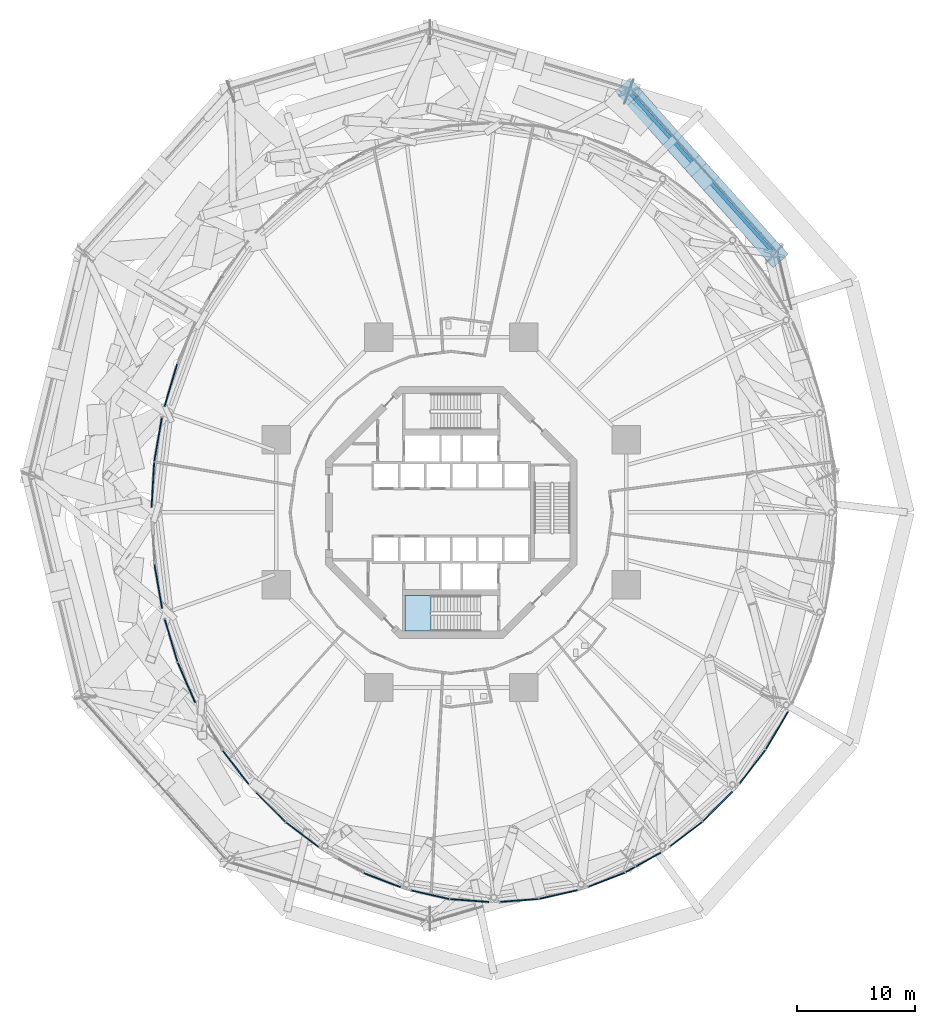
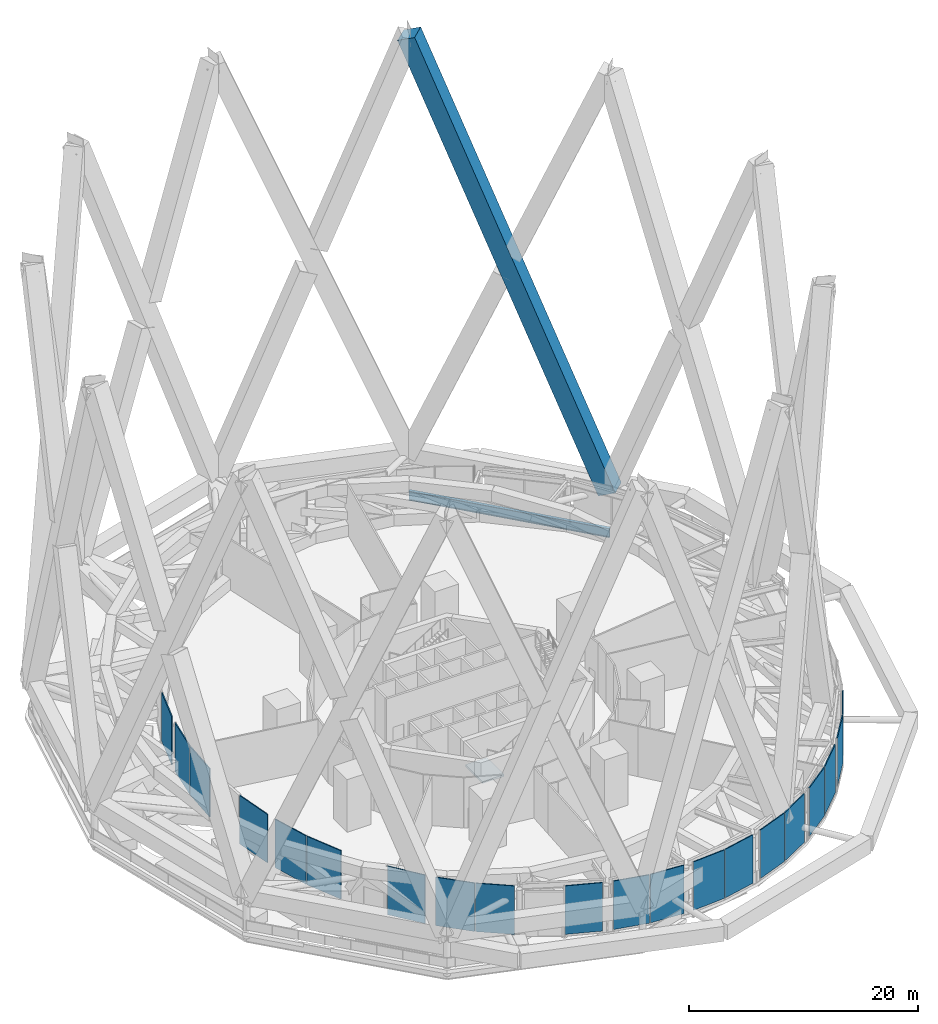
# One storey, part 37 of 51: 20 plates, 1 beam, 1 member, 1 slab, 21 elements without a shape of their own.
"""IFC4 building model written with IfcOpenShell, lengths in metres."""

import ifcopenshell
import ifcopenshell.guid

model = None  # the IFC model being written
_history = None  # IfcOwnerHistory: only IFC2X3 demands one
_inside = {}  # id of a spatial element -> (the spatial element, [elements in it])
_under = {}  # id of a project, library or spatial element -> (it, [spatial elements below it])
_declared = {}  # id of a project -> (the project, [libraries it declares])
_typed = {}  # id of a type object -> (the type object, [elements of that type])
_made_of = {}  # id of a material, layer set ... -> (it, [elements and type objects made of it])


def new_model(schema):
    """Start an empty IFC model of exactly this schema.

    Asked for "IFC4X3", IfcOpenShell would pick the latest addendum, in which some entities
    have other attributes; the version numbers below select the first issue.
    IFC2X3 requires an IfcOwnerHistory on every rooted entity: one is made here for all.
    """
    global model, _history
    if schema == "IFC4X3":
        model = ifcopenshell.file(schema_version=(4, 3, 0, 0))
    else:
        model = ifcopenshell.file(schema=schema)
    _inside.clear()
    _under.clear()
    _declared.clear()
    _typed.clear()
    _made_of.clear()
    _history = None
    if model.schema == "IFC2X3":
        org = make("IfcOrganization", Name="unknown")
        user = make(
            "IfcPersonAndOrganization",
            ThePerson=make("IfcPerson", FamilyName="unknown"),
            TheOrganization=org,
        )
        app = make(
            "IfcApplication",
            ApplicationDeveloper=org,
            Version="unknown",
            ApplicationFullName="unknown",
            ApplicationIdentifier="unknown",
        )
        _history = make(
            "IfcOwnerHistory",
            OwningUser=user,
            OwningApplication=app,
            ChangeAction="ADDED",
            CreationDate=0,
        )
    return model


def make(cls, **values):
    """One entity of the class cls with the attributes given. An attribute that is None is left unset."""
    return model.create_entity(
        cls, **{name: value for name, value in values.items() if value is not None}
    )


def rooted(cls, **values):
    """An entity with a GlobalId (a new one), such as an element, a storey or a relation."""
    return make(cls, GlobalId=ifcopenshell.guid.new(), OwnerHistory=_history, **values)


def si_unit(unit_type, name, prefix=None):
    """IfcSIUnit, for example si_unit("LENGTHUNIT", "METRE", prefix="MILLI")."""
    return make("IfcSIUnit", UnitType=unit_type, Prefix=prefix, Name=name)


def assignment(units):
    """IfcUnitAssignment: the units of a project."""
    return None if units is None else make("IfcUnitAssignment", Units=units)


def point(xyz):
    """IfcCartesianPoint."""
    return None if xyz is None else make("IfcCartesianPoint", Coordinates=xyz)


def direction(xyz):
    """IfcDirection."""
    return None if xyz is None else make("IfcDirection", DirectionRatios=xyz)


def frame(location, z_axis=None, x_axis=None):
    """IfcAxis2Placement3D, a coordinate frame: its origin and axes. An axis left out is left unset."""
    return make(
        "IfcAxis2Placement3D",
        Location=point(location),
        Axis=direction(z_axis),
        RefDirection=direction(x_axis),
    )


def frame_2d(location, x_axis=None):
    """IfcAxis2Placement2D, a coordinate frame in the plane: its origin and x axis."""
    return make(
        "IfcAxis2Placement2D", Location=point(location), RefDirection=direction(x_axis)
    )


def origin():
    """The frame at (0, 0, 0) with its axes left unset."""
    return frame((0.0, 0.0, 0.0))


def origin_2d():
    """The frame at (0, 0) in the plane with its x axis left unset."""
    return frame_2d((0.0, 0.0))


def place(relative_to, where):
    """IfcLocalPlacement: puts the frame where relative to a parent placement (None: the world)."""
    return make(
        "IfcLocalPlacement", PlacementRelTo=relative_to, RelativePlacement=where
    )


def context(
    kind, dimensions, precision=None, world=None, true_north=None, identifier=None
):
    """IfcGeometricRepresentationContext, for example the 3D "Model" context."""
    return make(
        "IfcGeometricRepresentationContext",
        ContextIdentifier=identifier,
        ContextType=kind,
        CoordinateSpaceDimension=dimensions,
        Precision=precision,
        WorldCoordinateSystem=world,
        TrueNorth=true_north,
    )


def subcontext(parent, identifier, kind, view, scale=None):
    """IfcGeometricRepresentationSubContext, for example "Body" below "Model"."""
    return make(
        "IfcGeometricRepresentationSubContext",
        ContextIdentifier=identifier,
        ContextType=kind,
        ParentContext=parent,
        TargetScale=scale,
        TargetView=view,
    )


def project(units=None, contexts=None):
    """IfcProject with its units and contexts."""
    return rooted(
        "IfcProject",
        Name="project",
        RepresentationContexts=contexts,
        UnitsInContext=assignment(units),
    )


def spatial(cls, under=None, at=None, **own):
    """A site, building, storey or space (cls), placed at a placement, below another one or the project."""
    s = rooted(cls, ObjectPlacement=at, **own)
    if under is not None:
        _under.setdefault(under.id(), (under, []))[1].append(s)
    return s


def polyline(points):
    """IfcPolyline through the points."""
    return make("IfcPolyline", Points=[point(p) for p in points])


def profile(cls, at=None, kind="AREA", **sizes):
    """A parametric profile (cls). Its sizes go by their IFC names, for example OverallWidth=200.0."""
    return make(cls, ProfileType=kind, Position=at, **sizes)


def rectangle(**sizes):
    """IfcRectangleProfileDef."""
    return profile("IfcRectangleProfileDef", **sizes)


def i_section(**sizes):
    """IfcIShapeProfileDef."""
    return profile("IfcIShapeProfileDef", **sizes)


def outline(outer, holes=None, kind="AREA"):
    """IfcArbitraryClosedProfileDef: a profile drawn as a closed curve; with holes, ...WithVoids."""
    if holes is None:
        return make("IfcArbitraryClosedProfileDef", ProfileType=kind, OuterCurve=outer)
    return make(
        "IfcArbitraryProfileDefWithVoids",
        ProfileType=kind,
        OuterCurve=outer,
        InnerCurves=holes,
    )


def extrude(swept, where, along, depth):
    """IfcExtrudedAreaSolid: the profile swept, set in the frame where, extruded along a direction by depth."""
    return make(
        "IfcExtrudedAreaSolid",
        SweptArea=swept,
        Position=where,
        ExtrudedDirection=direction(along),
        Depth=depth,
    )


def shape(context_of_items, identifier, shape_type, items):
    """IfcShapeRepresentation: the items that make up one representation, for example the "Body"."""
    return make(
        "IfcShapeRepresentation",
        ContextOfItems=context_of_items,
        RepresentationIdentifier=identifier,
        RepresentationType=shape_type,
        Items=items,
    )


def material(Name=None, Category=None):
    """IfcMaterial."""
    return make("IfcMaterial", Name=Name, Category=Category)


def layer(
    of_material, thickness, ventilated=None, Name=None, Category=None, Priority=None
):
    """IfcMaterialLayer: one layer of a wall or slab, of a material (None: an air gap)."""
    return make(
        "IfcMaterialLayer",
        Material=of_material,
        LayerThickness=thickness,
        IsVentilated=ventilated,
        Name=Name,
        Category=Category,
        Priority=Priority,
    )


def layer_set(layers, Name=None):
    """IfcMaterialLayerSet."""
    return make("IfcMaterialLayerSet", MaterialLayers=layers, LayerSetName=Name)


def material_profile(
    of_material, cross_section, Name=None, Category=None, Priority=None
):
    """IfcMaterialProfile: a cross section and its material."""
    return make(
        "IfcMaterialProfile",
        Name=Name,
        Material=of_material,
        Profile=cross_section,
        Priority=Priority,
        Category=Category,
    )


def profile_set(profiles, Name=None, composite=None):
    """IfcMaterialProfileSet."""
    return make(
        "IfcMaterialProfileSet",
        Name=Name,
        MaterialProfiles=profiles,
        CompositeProfile=composite,
    )


def made_of(thing, what):
    """Note that an element or type object is made of a material, layer set ...; save() writes the relation."""
    if what is not None:
        _made_of.setdefault(what.id(), (what, []))[1].append(thing)
    return thing


def type_object(cls, material=None, **own):
    """A type object (cls), such as IfcWallType, which elements share."""
    return made_of(rooted(cls, **own), material)


def element(
    cls,
    number,
    at=None,
    inside=None,
    cuts=None,
    type_object=None,
    material=None,
    context=None,
    identifier="Body",
    shape_type=None,
    held_by="IfcProductDefinitionShape",
    body=None,
    shapes=None,
    **own,
):
    """One element of the class cls, such as IfcWall. Its Tag is "e" and its number.

    at: its placement. inside: the storey or other place that contains it. cuts: it is an
    opening in that element (IfcRelVoidsElement). A single representation is given by context,
    identifier, shape_type and body (its items); several are given by shapes. held_by: the class
    of the entity that holds the representations. save() writes the other relations.
    """
    e = rooted(cls, Tag="e%d" % number, ObjectPlacement=at, **own)
    if body is not None:
        shapes = [shape(context, identifier, shape_type, body)]
    if shapes is not None:
        e.Representation = make(held_by, Representations=shapes)
    if inside is not None:
        _inside.setdefault(inside.id(), (inside, []))[1].append(e)
    if cuts is not None:
        rooted(
            "IfcRelVoidsElement", RelatingBuildingElement=cuts, RelatedOpeningElement=e
        )
    if type_object is not None:
        _typed.setdefault(type_object.id(), (type_object, []))[1].append(e)
    return made_of(e, material)


def aggregate(whole, parts):
    """IfcRelAggregates: a whole, such as a stair, and the parts it consists of."""
    return rooted("IfcRelAggregates", RelatingObject=whole, RelatedObjects=parts)


def save(model, path):
    """Write the relations noted so far, then the file.

    IfcRelAggregates (storeys below a building ...), IfcRelContainedInSpatialStructure (elements
    in a storey), IfcRelDefinesByType, IfcRelAssociatesMaterial and IfcRelDeclares: one each for
    every whole, place, type object, material and project.
    """
    for whole, parts in _under.values():
        aggregate(whole, parts)
    for where, things in _inside.values():
        rooted(
            "IfcRelContainedInSpatialStructure",
            RelatedElements=things,
            RelatingStructure=where,
        )
    for kind, things in _typed.values():
        rooted("IfcRelDefinesByType", RelatedObjects=things, RelatingType=kind)
    for what, things in _made_of.values():
        rooted("IfcRelAssociatesMaterial", RelatedObjects=things, RelatingMaterial=what)
    for by, libraries in _declared.values():
        rooted("IfcRelDeclares", RelatingContext=by, RelatedDefinitions=libraries)
    model.write(path)


model = new_model("IFC4")

# Units and contexts
model_context = context("Model", 3, precision=1e-05, world=origin(), true_north=direction((0.0, 1.0)))
body_context = subcontext(model_context, "Body", "Model", "MODEL_VIEW")
ifc_project = project(units=[si_unit("LENGTHUNIT", "METRE"), si_unit("AREAUNIT", "SQUARE_METRE"), si_unit("VOLUMEUNIT", "CUBIC_METRE"), si_unit("PLANEANGLEUNIT", "RADIAN"), si_unit("MASSUNIT", "GRAM", prefix="KILO")], contexts=[model_context])

# Site, building, storey
site_placement = place(None, origin())
site = spatial("IfcSite", under=ifc_project, at=site_placement, CompositionType="ELEMENT")
building_placement = place(site_placement, origin())
building = spatial("IfcBuilding", under=site, at=building_placement, Name="Nagisa Residences", CompositionType="ELEMENT")
storey_placement = place(building_placement, frame((0.0, 0.0, 67.699951171875)))
storey = spatial("IfcBuildingStorey", under=building, at=storey_placement, Name="L16", CompositionType="ELEMENT", Elevation=67.699951171875)

# Member
ifc_material_1 = material(Name="Concrete C80", Category="concrete")
ifc_material_profile_1 = material_profile(ifc_material_1, rectangle(XDim=1.699951171875, YDim=1.699951171875, at=origin_2d()), Name="C80 1700x1700")
ifc_profile_set_1 = profile_set([ifc_material_profile_1], Name="Concrete C80")
member_type = type_object("IfcMemberType", Name="Cage diagonal 2 C80 1700x1700", PredefinedType="BRACE", material=ifc_profile_set_1)
member_placement = place(storey_placement, frame((27.294189453125, 21.8251953125, 3.699951171875), z_axis=(-0.255349646775, 0.2843842811, 0.924079075921), x_axis=(-0.744069300954, -0.668102443775, 0.0)))
element("IfcMember", 1, at=member_placement, inside=storey, type_object=member_type, Name="mem:L16:cg2d003", PredefinedType="BRACE", context=body_context, shape_type="SweptSolid", body=[
    extrude(rectangle(XDim=1.699951171875, YDim=1.699951171875, at=origin_2d()), origin(), (0.0, 0.0, 1.0), 48.156005859375),
])

# Beam
ifc_material_2 = material(Name="Steel ASTM A572 Gr 50", Category="steel")
ifc_material_profile_2 = material_profile(ifc_material_2, i_section(OverallWidth=0.300048828125, OverallDepth=0.97998046875, WebThickness=0.0166015625, FlangeThickness=0.02587890625, at=origin_2d()), Name="W1000x249")
ifc_profile_set_2 = profile_set([ifc_material_profile_2], Name="Steel ASTM A572 Gr 50")
beam_type = type_object("IfcBeamType", Name="Deck edge beam W1000x249", PredefinedType="BEAM", material=ifc_profile_set_2)
beam_placement = place(storey_placement, frame((27.294189453125, 21.8251953125, -0.889892578125), z_axis=(-0.668102443775, 0.744069300954, 0.0), x_axis=(-0.744069300954, -0.668102443775, 0.0)))
element("IfcBeam", 2, at=beam_placement, inside=storey, type_object=beam_type, Name="beam:L16:deckedge02", PredefinedType="BEAM", context=body_context, shape_type="SweptSolid", body=[
    extrude(i_section(OverallWidth=0.300048828125, OverallDepth=0.97998046875, WebThickness=0.0166015625, FlangeThickness=0.02587890625, at=origin_2d()), origin(), (0.0, 0.0, 1.0), 18.4052734375),
])

# Curtain wall, plate
ifc_material_3 = material(Name="Aluminium curtain wall system", Category="aluminium")
ifc_layer_1 = layer(ifc_material_3, 0.159912109375)
ifc_layer_set_1 = layer_set([ifc_layer_1], Name="CW2 CURTAIN WALL")
curtain_wall_type = type_object("IfcCurtainWallType", Name="CW2 CURTAIN WALL", PredefinedType="NOTDEFINED", material=ifc_layer_set_1)
curtain_wall_1_placement = place(storey_placement, origin())
curtain_wall_1 = element("IfcCurtainWall", 3, at=curtain_wall_1_placement, inside=storey, type_object=curtain_wall_type, Name="cw:CW2:L16:21", PredefinedType="NOTDEFINED")
ifc_material_4 = material(Name="Insulated metal spandrel panel")
ifc_layer_2 = layer(ifc_material_4, 0.10009765625)
ifc_layer_set_2 = layer_set([ifc_layer_2], Name="CW2 SPANDREL PANEL")
plate_type = type_object("IfcPlateType", Name="CW2 SPANDREL PANEL", PredefinedType="SHEET", material=ifc_layer_set_2)
plate_1_placement = place(storey_placement, frame((-23.672607421875, 10.7392578125, 0.18017578125), z_axis=(0.0, 0.0, 1.0), x_axis=(-0.285860274038, -0.958271310082, 0.0)))
plate_1 = element("IfcPlate", 4, at=plate_1_placement, type_object=plate_type, Name="CW2 spandrel panel", PredefinedType="SHEET", context=body_context, shape_type="SweptSolid", body=[
    extrude(rectangle(XDim=3.735595703125, YDim=0.10009765625, at=origin_2d()), origin(), (0.0, 0.0, 1.0), 5.159912109375),
])
aggregate(curtain_wall_1, [plate_1])

curtain_wall_2_placement = place(storey_placement, origin())
curtain_wall_2 = element("IfcCurtainWall", 5, at=curtain_wall_2_placement, inside=storey, type_object=curtain_wall_type, Name="cw:CW2:L16:22", PredefinedType="NOTDEFINED")
plate_2_placement = place(storey_placement, frame((-24.748779296875, 6.1494140625, 0.18017578125), z_axis=(0.0, 0.0, 1.0), x_axis=(-0.172190868898, -0.985063604377, 0.0)))
plate_2 = element("IfcPlate", 6, at=plate_2_placement, type_object=plate_type, Name="CW2 spandrel panel", PredefinedType="SHEET", context=body_context, shape_type="SweptSolid", body=[
    extrude(rectangle(XDim=3.767822265625, YDim=0.10009765625, at=origin_2d()), origin(), (0.0, 0.0, 1.0), 5.159912109375),
])
aggregate(curtain_wall_2, [plate_2])

curtain_wall_3_placement = place(storey_placement, origin())
curtain_wall_3 = element("IfcCurtainWall", 7, at=curtain_wall_3_placement, inside=storey, type_object=curtain_wall_type, Name="cw:CW2:L16:23", PredefinedType="NOTDEFINED")
plate_3_placement = place(storey_placement, frame((-25.185546875, 2.333740234375, 0.18017578125), z_axis=(0.0, 0.0, 1.0), x_axis=(-0.057503492216, -0.998345305184, 0.0)))
plate_3 = element("IfcPlate", 8, at=plate_3_placement, type_object=plate_type, Name="CW2 spandrel panel", PredefinedType="SHEET", context=body_context, shape_type="SweptSolid", body=[
    extrude(rectangle(XDim=3.784423828125, YDim=0.10009765625, at=origin_2d()), origin(), (0.0, 0.0, 1.0), 5.159912109375),
])
aggregate(curtain_wall_3, [plate_3])

curtain_wall_4_placement = place(storey_placement, origin())
curtain_wall_4 = element("IfcCurtainWall", 9, at=curtain_wall_4_placement, inside=storey, type_object=curtain_wall_type, Name="cw:CW2:L16:25", PredefinedType="NOTDEFINED")
plate_4_placement = place(storey_placement, frame((-24.73486328125, -6.228271484375, 0.18017578125), z_axis=(0.0, 0.0, 1.0), x_axis=(0.172190868898, -0.985063604377, 0.0)))
plate_4 = element("IfcPlate", 10, at=plate_4_placement, type_object=plate_type, Name="CW2 spandrel panel", PredefinedType="SHEET", context=body_context, shape_type="SweptSolid", body=[
    extrude(rectangle(XDim=3.767822265625, YDim=0.10009765625, at=origin_2d()), origin(), (0.0, 0.0, 1.0), 5.159912109375),
])
aggregate(curtain_wall_4, [plate_4])

curtain_wall_5_placement = place(storey_placement, origin())
curtain_wall_5 = element("IfcCurtainWall", 11, at=curtain_wall_5_placement, inside=storey, type_object=curtain_wall_type, Name="cw:CW2:L16:26", PredefinedType="NOTDEFINED")
plate_5_placement = place(storey_placement, frame((-23.649658203125, -10.81591796875, 0.18017578125), z_axis=(0.0, 0.0, 1.0), x_axis=(0.285860274038, -0.958271310082, 0.0)))
plate_5 = element("IfcPlate", 12, at=plate_5_placement, type_object=plate_type, Name="CW2 spandrel panel", PredefinedType="SHEET", context=body_context, shape_type="SweptSolid", body=[
    extrude(rectangle(XDim=3.735595703125, YDim=0.10009765625, at=origin_2d()), origin(), (0.0, 0.0, 1.0), 5.159912109375),
])
aggregate(curtain_wall_5, [plate_5])

curtain_wall_6_placement = place(storey_placement, origin())
curtain_wall_6 = element("IfcCurtainWall", 13, at=curtain_wall_6_placement, inside=storey, type_object=curtain_wall_type, Name="cw:CW2:L16:27", PredefinedType="NOTDEFINED")
plate_6_placement = place(storey_placement, frame((-22.353759765625, -14.36279296875, 0.18017578125), z_axis=(0.0, 0.0, 1.0), x_axis=(0.397635934147, -0.917543276295, 0.0)))
plate_6 = element("IfcPlate", 14, at=plate_6_placement, type_object=plate_type, Name="CW2 spandrel panel", PredefinedType="SHEET", context=body_context, shape_type="SweptSolid", body=[
    extrude(rectangle(XDim=3.689453125, YDim=0.10009765625, at=origin_2d()), origin(), (0.0, 0.0, 1.0), 5.159912109375),
])
aggregate(curtain_wall_6, [plate_6])

curtain_wall_7_placement = place(storey_placement, origin())
curtain_wall_7 = element("IfcCurtainWall", 15, at=curtain_wall_7_placement, inside=storey, type_object=curtain_wall_type, Name="cw:CW2:L16:29", PredefinedType="NOTDEFINED")
plate_7_placement = place(storey_placement, frame((-18.206298828125, -21.516357421875, 0.18017578125), z_axis=(0.0, 0.0, 1.0), x_axis=(0.610429828235, -0.792070340816, 0.0)))
plate_7 = element("IfcPlate", 16, at=plate_7_placement, type_object=plate_type, Name="CW2 spandrel panel", PredefinedType="SHEET", context=body_context, shape_type="SweptSolid", body=[
    extrude(rectangle(XDim=3.5673828125, YDim=0.10009765625, at=origin_2d()), origin(), (0.0, 0.0, 1.0), 5.159912109375),
])
aggregate(curtain_wall_7, [plate_7])

curtain_wall_8_placement = place(storey_placement, origin())
curtain_wall_8 = element("IfcCurtainWall", 17, at=curtain_wall_8_placement, inside=storey, type_object=curtain_wall_type, Name="cw:CW2:L16:30", PredefinedType="NOTDEFINED")
plate_8_placement = place(storey_placement, frame((-15.236083984375, -24.88818359375, 0.18017578125), z_axis=(0.0, 0.0, 1.0), x_axis=(0.707835924016, -0.706376885714, 0.0)))
plate_8 = element("IfcPlate", 18, at=plate_8_placement, type_object=plate_type, Name="CW2 spandrel panel", PredefinedType="SHEET", context=body_context, shape_type="SweptSolid", body=[
    extrude(rectangle(XDim=3.499267578125, YDim=0.10009765625, at=origin_2d()), origin(), (0.0, 0.0, 1.0), 5.159912109375),
])
aggregate(curtain_wall_8, [plate_8])

curtain_wall_9_placement = place(storey_placement, origin())
curtain_wall_9 = element("IfcCurtainWall", 19, at=curtain_wall_9_placement, inside=storey, type_object=curtain_wall_type, Name="cw:CW2:L16:31", PredefinedType="NOTDEFINED")
plate_9_placement = place(storey_placement, frame((-12.575927734375, -27.2041015625, 0.18017578125), z_axis=(0.0, 0.0, 1.0), x_axis=(0.79603132756, -0.605255421737, 0.0)))
plate_9 = element("IfcPlate", 20, at=plate_9_placement, type_object=plate_type, Name="CW2 spandrel panel", PredefinedType="SHEET", context=body_context, shape_type="SweptSolid", body=[
    extrude(rectangle(XDim=3.432373046875, YDim=0.10009765625, at=origin_2d()), origin(), (0.0, 0.0, 1.0), 5.159912109375),
])
aggregate(curtain_wall_9, [plate_9])

curtain_wall_10_placement = place(storey_placement, origin())
curtain_wall_10 = element("IfcCurtainWall", 21, at=curtain_wall_10_placement, inside=storey, type_object=curtain_wall_type, Name="cw:CW2:L16:33", PredefinedType="NOTDEFINED")
plate_10_placement = place(storey_placement, frame((-5.845458984375, -31.04052734375, 0.18017578125), z_axis=(0.0, 0.0, 1.0), x_axis=(0.932825759707, -0.360327770268, 0.0)))
plate_10 = element("IfcPlate", 22, at=plate_10_placement, type_object=plate_type, Name="CW2 spandrel panel", PredefinedType="SHEET", context=body_context, shape_type="SweptSolid", body=[
    extrude(rectangle(XDim=3.32080078125, YDim=0.10009765625, at=origin_2d()), origin(), (0.0, 0.0, 1.0), 5.159912109375),
])
aggregate(curtain_wall_10, [plate_10])

curtain_wall_11_placement = place(storey_placement, origin())
curtain_wall_11 = element("IfcCurtainWall", 23, at=curtain_wall_11_placement, inside=storey, type_object=curtain_wall_type, Name="cw:CW2:L16:34", PredefinedType="NOTDEFINED")
plate_11_placement = place(storey_placement, frame((-1.769287109375, -32.277099609375, 0.18017578125), z_axis=(0.0, 0.0, 1.0), x_axis=(0.975327274089, -0.2207639201, 0.0)))
plate_11 = element("IfcPlate", 24, at=plate_11_placement, type_object=plate_type, Name="CW2 spandrel panel", PredefinedType="SHEET", context=body_context, shape_type="SweptSolid", body=[
    extrude(rectangle(XDim=3.28466796875, YDim=0.10009765625, at=origin_2d()), origin(), (0.0, 0.0, 1.0), 5.159912109375),
])
aggregate(curtain_wall_11, [plate_11])

curtain_wall_12_placement = place(storey_placement, origin())
curtain_wall_12 = element("IfcCurtainWall", 25, at=curtain_wall_12_placement, inside=storey, type_object=curtain_wall_type, Name="cw:CW2:L16:35", PredefinedType="NOTDEFINED")
plate_12_placement = place(storey_placement, frame((1.52880859375, -32.765380859375, 0.18017578125), z_axis=(0.0, 0.0, 1.0), x_axis=(0.997230168512, -0.074377355493, 0.0)))
plate_12 = element("IfcPlate", 26, at=plate_12_placement, type_object=plate_type, Name="CW2 spandrel panel", PredefinedType="SHEET", context=body_context, shape_type="SweptSolid", body=[
    extrude(rectangle(XDim=3.265869140625, YDim=0.10009765625, at=origin_2d()), origin(), (0.0, 0.0, 1.0), 5.159912109375),
])
aggregate(curtain_wall_12, [plate_12])

curtain_wall_13_placement = place(storey_placement, origin())
curtain_wall_13 = element("IfcCurtainWall", 27, at=curtain_wall_13_placement, inside=storey, type_object=curtain_wall_type, Name="cw:CW2:L16:36", PredefinedType="NOTDEFINED")
plate_13_placement = place(storey_placement, frame((5.7509765625, -32.75927734375, 0.18017578125), z_axis=(0.0, 0.0, 1.0), x_axis=(0.997230168512, 0.074377355493, 0.0)))
plate_13 = element("IfcPlate", 28, at=plate_13_placement, type_object=plate_type, Name="CW2 spandrel panel", PredefinedType="SHEET", context=body_context, shape_type="SweptSolid", body=[
    extrude(rectangle(XDim=3.265869140625, YDim=0.10009765625, at=origin_2d()), origin(), (0.0, 0.0, 1.0), 5.159912109375),
])
aggregate(curtain_wall_13, [plate_13])

curtain_wall_14_placement = place(storey_placement, origin())
curtain_wall_14 = element("IfcCurtainWall", 29, at=curtain_wall_14_placement, inside=storey, type_object=curtain_wall_type, Name="cw:CW2:L16:37", PredefinedType="NOTDEFINED")
plate_14_placement = place(storey_placement, frame((9.04736328125, -32.259521484375, 0.18017578125), z_axis=(0.0, 0.0, 1.0), x_axis=(0.975327274089, 0.2207639201, 0.0)))
plate_14 = element("IfcPlate", 30, at=plate_14_placement, type_object=plate_type, Name="CW2 spandrel panel", PredefinedType="SHEET", context=body_context, shape_type="SweptSolid", body=[
    extrude(rectangle(XDim=3.28466796875, YDim=0.10009765625, at=origin_2d()), origin(), (0.0, 0.0, 1.0), 5.159912109375),
])
aggregate(curtain_wall_14, [plate_14])

curtain_wall_15_placement = place(storey_placement, origin())
curtain_wall_15 = element("IfcCurtainWall", 31, at=curtain_wall_15_placement, inside=storey, type_object=curtain_wall_type, Name="cw:CW2:L16:38", PredefinedType="NOTDEFINED")
plate_15_placement = place(storey_placement, frame((13.1201171875, -31.01171875, 0.18017578125), z_axis=(0.0, 0.0, 1.0), x_axis=(0.932825759707, 0.360327770268, 0.0)))
plate_15 = element("IfcPlate", 32, at=plate_15_placement, type_object=plate_type, Name="CW2 spandrel panel", PredefinedType="SHEET", context=body_context, shape_type="SweptSolid", body=[
    extrude(rectangle(XDim=3.32080078125, YDim=0.10009765625, at=origin_2d()), origin(), (0.0, 0.0, 1.0), 5.159912109375),
])
aggregate(curtain_wall_15, [plate_15])

curtain_wall_16_placement = place(storey_placement, origin())
curtain_wall_16 = element("IfcCurtainWall", 33, at=curtain_wall_16_placement, inside=storey, type_object=curtain_wall_type, Name="cw:CW2:L16:39", PredefinedType="NOTDEFINED")
plate_16_placement = place(storey_placement, frame((16.198486328125, -29.55419921875, 0.18017578125), z_axis=(0.0, 0.0, 1.0), x_axis=(0.872072377523, 0.489376918501, 0.0)))
plate_16 = element("IfcPlate", 34, at=plate_16_placement, type_object=plate_type, Name="CW2 spandrel panel", PredefinedType="SHEET", context=body_context, shape_type="SweptSolid", body=[
    extrude(rectangle(XDim=3.371337890625, YDim=0.10009765625, at=origin_2d()), origin(), (0.0, 0.0, 1.0), 5.159912109375),
])
aggregate(curtain_wall_16, [plate_16])

curtain_wall_17_placement = place(storey_placement, origin())
curtain_wall_17 = element("IfcCurtainWall", 35, at=curtain_wall_17_placement, inside=storey, type_object=curtain_wall_type, Name="cw:CW2:L16:40", PredefinedType="NOTDEFINED")
plate_17_placement = place(storey_placement, frame((19.839599609375, -27.15576171875, 0.18017578125), z_axis=(0.0, 0.0, 1.0), x_axis=(0.79603132756, 0.605255421737, 0.0)))
plate_17 = element("IfcPlate", 36, at=plate_17_placement, type_object=plate_type, Name="CW2 spandrel panel", PredefinedType="SHEET", context=body_context, shape_type="SweptSolid", body=[
    extrude(rectangle(XDim=3.432373046875, YDim=0.10009765625, at=origin_2d()), origin(), (0.0, 0.0, 1.0), 5.159912109375),
])
aggregate(curtain_wall_17, [plate_17])

curtain_wall_18_placement = place(storey_placement, origin())
curtain_wall_18 = element("IfcCurtainWall", 37, at=curtain_wall_18_placement, inside=storey, type_object=curtain_wall_type, Name="cw:CW2:L16:41", PredefinedType="NOTDEFINED")
plate_18_placement = place(storey_placement, frame((22.49267578125, -24.83154296875, 0.18017578125), z_axis=(0.0, 0.0, 1.0), x_axis=(0.707835924016, 0.706376885714, 0.0)))
plate_18 = element("IfcPlate", 38, at=plate_18_placement, type_object=plate_type, Name="CW2 spandrel panel", PredefinedType="SHEET", context=body_context, shape_type="SweptSolid", body=[
    extrude(rectangle(XDim=3.499267578125, YDim=0.10009765625, at=origin_2d()), origin(), (0.0, 0.0, 1.0), 5.159912109375),
])
aggregate(curtain_wall_18, [plate_18])

curtain_wall_19_placement = place(storey_placement, origin())
curtain_wall_19 = element("IfcCurtainWall", 39, at=curtain_wall_19_placement, inside=storey, type_object=curtain_wall_type, Name="cw:CW2:L16:42", PredefinedType="NOTDEFINED")
plate_19_placement = place(storey_placement, frame((25.455078125, -21.453125, 0.18017578125), z_axis=(0.0, 0.0, 1.0), x_axis=(0.610429828235, 0.792070340816, 0.0)))
plate_19 = element("IfcPlate", 40, at=plate_19_placement, type_object=plate_type, Name="CW2 spandrel panel", PredefinedType="SHEET", context=body_context, shape_type="SweptSolid", body=[
    extrude(rectangle(XDim=3.5673828125, YDim=0.10009765625, at=origin_2d()), origin(), (0.0, 0.0, 1.0), 5.159912109375),
])
aggregate(curtain_wall_19, [plate_19])

curtain_wall_20_placement = place(storey_placement, origin())
curtain_wall_20 = element("IfcCurtainWall", 41, at=curtain_wall_20_placement, inside=storey, type_object=curtain_wall_type, Name="cw:CW2:L16:43", PredefinedType="NOTDEFINED")
plate_20_placement = place(storey_placement, frame((27.498291015625, -18.41357421875, 0.18017578125), z_axis=(0.0, 0.0, 1.0), x_axis=(0.506348567002, 0.862328898214, 0.0)))
plate_20 = element("IfcPlate", 42, at=plate_20_placement, type_object=plate_type, Name="CW2 spandrel panel", PredefinedType="SHEET", context=body_context, shape_type="SweptSolid", body=[
    extrude(rectangle(XDim=3.632080078125, YDim=0.10009765625, at=origin_2d()), origin(), (0.0, 0.0, 1.0), 5.159912109375),
])
aggregate(curtain_wall_20, [plate_20])

# Stair, slab
ifc_material_5 = material(Name="Concrete C60", Category="concrete")
stair_type = type_object("IfcStairType", Name="Exit stair", PredefinedType="HALF_TURN_STAIR", material=ifc_material_5)
stair_placement = place(storey_placement, origin())
stair = element("IfcStair", 43, at=stair_placement, inside=storey, type_object=stair_type, Name="L16 Exit stair S", PredefinedType="HALF_TURN_STAIR")
ifc_material_6 = material(Name="Concrete C60", Category="concrete")
ifc_layer_3 = layer(ifc_material_6, 0.199951171875)
ifc_layer_set_3 = layer_set([ifc_layer_3], Name="Stair landing")
slab_type = type_object("IfcSlabType", Name="Stair landing", PredefinedType="LANDING", material=ifc_layer_set_3)
slab_placement = place(storey_placement, frame((0.0, 0.0, 2.60009765625)))
slab = element("IfcSlab", 44, at=slab_placement, type_object=slab_type, Name="ST-S landing 1", PredefinedType="LANDING", context=body_context, shape_type="SweptSolid", body=[
    extrude(outline(polyline([(-1.72509765625, -7.024658203125), (-3.89990234375, -7.024658203125), (-3.89990234375, -10.024658203125), (-1.72509765625, -10.024658203125), (-1.72509765625, -7.024658203125)])), origin(), (0.0, 0.0, 1.0), 0.199951171875),
])
aggregate(stair, [slab])

save(model, "model.ifc")
